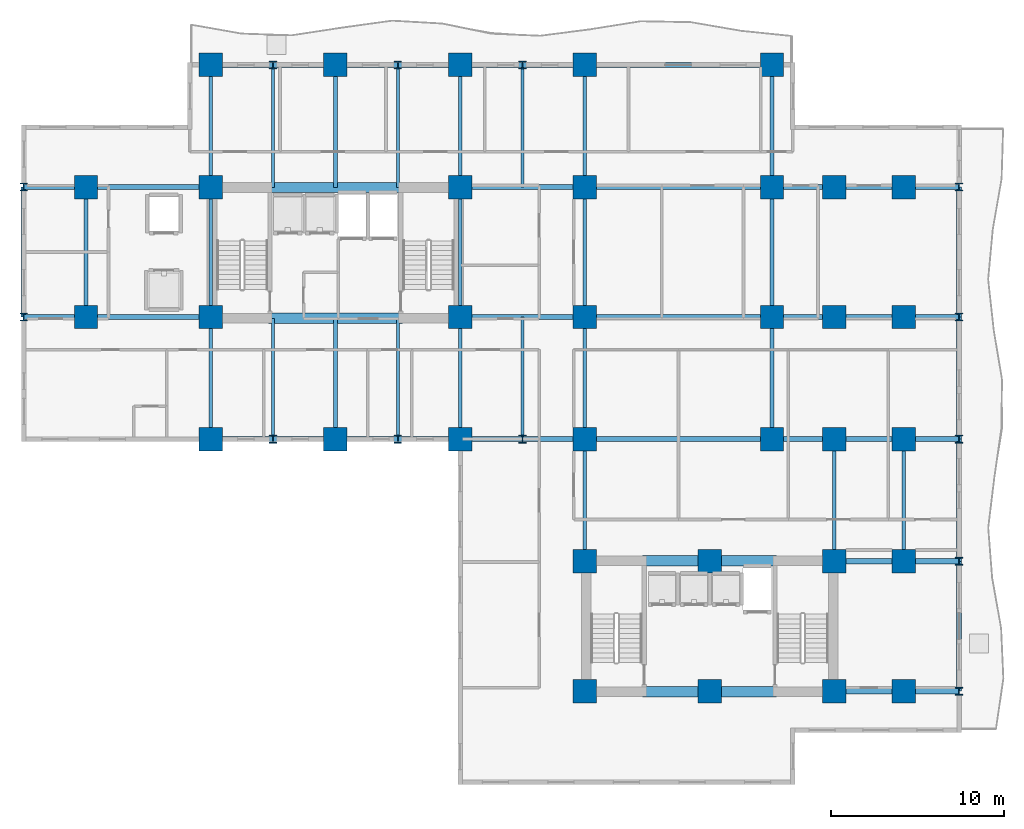
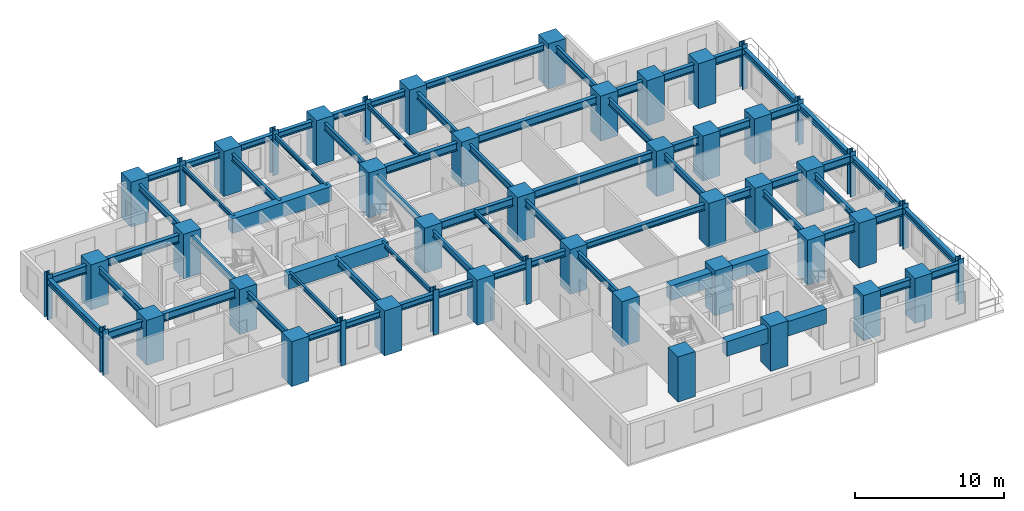
# One storey, part 1 of 12: 68 beams, 47 columns.
"""IFC4 building model written with IfcOpenShell, lengths in metres."""

import ifcopenshell
import ifcopenshell.guid

model = None  # the IFC model being written
_history = None  # IfcOwnerHistory: only IFC2X3 demands one
_inside = {}  # id of a spatial element -> (the spatial element, [elements in it])
_under = {}  # id of a project, library or spatial element -> (it, [spatial elements below it])
_declared = {}  # id of a project -> (the project, [libraries it declares])
_typed = {}  # id of a type object -> (the type object, [elements of that type])
_made_of = {}  # id of a material, layer set ... -> (it, [elements and type objects made of it])


def new_model(schema):
    """Start an empty IFC model of exactly this schema.

    Asked for "IFC4X3", IfcOpenShell would pick the latest addendum, in which some entities
    have other attributes; the version numbers below select the first issue.
    IFC2X3 requires an IfcOwnerHistory on every rooted entity: one is made here for all.
    """
    global model, _history
    if schema == "IFC4X3":
        model = ifcopenshell.file(schema_version=(4, 3, 0, 0))
    else:
        model = ifcopenshell.file(schema=schema)
    _inside.clear()
    _under.clear()
    _declared.clear()
    _typed.clear()
    _made_of.clear()
    _history = None
    if model.schema == "IFC2X3":
        org = make("IfcOrganization", Name="unknown")
        user = make(
            "IfcPersonAndOrganization",
            ThePerson=make("IfcPerson", FamilyName="unknown"),
            TheOrganization=org,
        )
        app = make(
            "IfcApplication",
            ApplicationDeveloper=org,
            Version="unknown",
            ApplicationFullName="unknown",
            ApplicationIdentifier="unknown",
        )
        _history = make(
            "IfcOwnerHistory",
            OwningUser=user,
            OwningApplication=app,
            ChangeAction="ADDED",
            CreationDate=0,
        )
    return model


def make(cls, **values):
    """One entity of the class cls with the attributes given. An attribute that is None is left unset."""
    return model.create_entity(
        cls, **{name: value for name, value in values.items() if value is not None}
    )


def rooted(cls, **values):
    """An entity with a GlobalId (a new one), such as an element, a storey or a relation."""
    return make(cls, GlobalId=ifcopenshell.guid.new(), OwnerHistory=_history, **values)


def si_unit(unit_type, name, prefix=None):
    """IfcSIUnit, for example si_unit("LENGTHUNIT", "METRE", prefix="MILLI")."""
    return make("IfcSIUnit", UnitType=unit_type, Prefix=prefix, Name=name)


def assignment(units):
    """IfcUnitAssignment: the units of a project."""
    return None if units is None else make("IfcUnitAssignment", Units=units)


def point(xyz):
    """IfcCartesianPoint."""
    return None if xyz is None else make("IfcCartesianPoint", Coordinates=xyz)


def direction(xyz):
    """IfcDirection."""
    return None if xyz is None else make("IfcDirection", DirectionRatios=xyz)


def frame(location, z_axis=None, x_axis=None):
    """IfcAxis2Placement3D, a coordinate frame: its origin and axes. An axis left out is left unset."""
    return make(
        "IfcAxis2Placement3D",
        Location=point(location),
        Axis=direction(z_axis),
        RefDirection=direction(x_axis),
    )


def frame_2d(location, x_axis=None):
    """IfcAxis2Placement2D, a coordinate frame in the plane: its origin and x axis."""
    return make(
        "IfcAxis2Placement2D", Location=point(location), RefDirection=direction(x_axis)
    )


def origin():
    """The frame at (0, 0, 0) with its axes left unset."""
    return frame((0.0, 0.0, 0.0))


def origin_2d():
    """The frame at (0, 0) in the plane with its x axis left unset."""
    return frame_2d((0.0, 0.0))


def place(relative_to, where):
    """IfcLocalPlacement: puts the frame where relative to a parent placement (None: the world)."""
    return make(
        "IfcLocalPlacement", PlacementRelTo=relative_to, RelativePlacement=where
    )


def context(
    kind, dimensions, precision=None, world=None, true_north=None, identifier=None
):
    """IfcGeometricRepresentationContext, for example the 3D "Model" context."""
    return make(
        "IfcGeometricRepresentationContext",
        ContextIdentifier=identifier,
        ContextType=kind,
        CoordinateSpaceDimension=dimensions,
        Precision=precision,
        WorldCoordinateSystem=world,
        TrueNorth=true_north,
    )


def subcontext(parent, identifier, kind, view, scale=None):
    """IfcGeometricRepresentationSubContext, for example "Body" below "Model"."""
    return make(
        "IfcGeometricRepresentationSubContext",
        ContextIdentifier=identifier,
        ContextType=kind,
        ParentContext=parent,
        TargetScale=scale,
        TargetView=view,
    )


def project(units=None, contexts=None):
    """IfcProject with its units and contexts."""
    return rooted(
        "IfcProject",
        Name="project",
        RepresentationContexts=contexts,
        UnitsInContext=assignment(units),
    )


def spatial(cls, under=None, at=None, **own):
    """A site, building, storey or space (cls), placed at a placement, below another one or the project."""
    s = rooted(cls, ObjectPlacement=at, **own)
    if under is not None:
        _under.setdefault(under.id(), (under, []))[1].append(s)
    return s


def profile(cls, at=None, kind="AREA", **sizes):
    """A parametric profile (cls). Its sizes go by their IFC names, for example OverallWidth=200.0."""
    return make(cls, ProfileType=kind, Position=at, **sizes)


def rectangle(**sizes):
    """IfcRectangleProfileDef."""
    return profile("IfcRectangleProfileDef", **sizes)


def i_section(**sizes):
    """IfcIShapeProfileDef."""
    return profile("IfcIShapeProfileDef", **sizes)


def extrude(swept, where, along, depth):
    """IfcExtrudedAreaSolid: the profile swept, set in the frame where, extruded along a direction by depth."""
    return make(
        "IfcExtrudedAreaSolid",
        SweptArea=swept,
        Position=where,
        ExtrudedDirection=direction(along),
        Depth=depth,
    )


def shape(context_of_items, identifier, shape_type, items):
    """IfcShapeRepresentation: the items that make up one representation, for example the "Body"."""
    return make(
        "IfcShapeRepresentation",
        ContextOfItems=context_of_items,
        RepresentationIdentifier=identifier,
        RepresentationType=shape_type,
        Items=items,
    )


def source(mapping_origin, context_of_items, identifier, shape_type, items):
    """IfcRepresentationMap: a shape defined once, which mapped items show again and again."""
    return make(
        "IfcRepresentationMap",
        MappingOrigin=mapping_origin,
        MappedRepresentation=shape(context_of_items, identifier, shape_type, items),
    )


def transform(
    local_origin,
    x_axis=None,
    y_axis=None,
    z_axis=None,
    scale=None,
    scale2=None,
    scale3=None,
    uniform=True,
):
    """IfcCartesianTransformationOperator3D, or its non-uniform kind. x_axis, y_axis, z_axis: its Axis1, 2, 3."""
    if uniform:
        return make(
            "IfcCartesianTransformationOperator3D",
            Axis1=direction(x_axis),
            Axis2=direction(y_axis),
            LocalOrigin=point(local_origin),
            Scale=scale,
            Axis3=direction(z_axis),
        )
    return make(
        "IfcCartesianTransformationOperator3DnonUniform",
        Axis1=direction(x_axis),
        Axis2=direction(y_axis),
        LocalOrigin=point(local_origin),
        Scale=scale,
        Axis3=direction(z_axis),
        Scale2=scale2,
        Scale3=scale3,
    )


def mapped(mapping_source, mapping_target):
    """IfcMappedItem: shows the shape of a source again, moved by a transform."""
    return make(
        "IfcMappedItem", MappingSource=mapping_source, MappingTarget=mapping_target
    )


def material(Name=None, Category=None):
    """IfcMaterial."""
    return make("IfcMaterial", Name=Name, Category=Category)


def material_profile(
    of_material, cross_section, Name=None, Category=None, Priority=None
):
    """IfcMaterialProfile: a cross section and its material."""
    return make(
        "IfcMaterialProfile",
        Name=Name,
        Material=of_material,
        Profile=cross_section,
        Priority=Priority,
        Category=Category,
    )


def profile_set(profiles, Name=None, composite=None):
    """IfcMaterialProfileSet."""
    return make(
        "IfcMaterialProfileSet",
        Name=Name,
        MaterialProfiles=profiles,
        CompositeProfile=composite,
    )


def made_of(thing, what):
    """Note that an element or type object is made of a material, layer set ...; save() writes the relation."""
    if what is not None:
        _made_of.setdefault(what.id(), (what, []))[1].append(thing)
    return thing


def type_object(cls, material=None, **own):
    """A type object (cls), such as IfcWallType, which elements share."""
    return made_of(rooted(cls, **own), material)


def element(
    cls,
    number,
    at=None,
    inside=None,
    cuts=None,
    type_object=None,
    material=None,
    context=None,
    identifier="Body",
    shape_type=None,
    held_by="IfcProductDefinitionShape",
    body=None,
    shapes=None,
    **own,
):
    """One element of the class cls, such as IfcWall. Its Tag is "e" and its number.

    at: its placement. inside: the storey or other place that contains it. cuts: it is an
    opening in that element (IfcRelVoidsElement). A single representation is given by context,
    identifier, shape_type and body (its items); several are given by shapes. held_by: the class
    of the entity that holds the representations. save() writes the other relations.
    """
    e = rooted(cls, Tag="e%d" % number, ObjectPlacement=at, **own)
    if body is not None:
        shapes = [shape(context, identifier, shape_type, body)]
    if shapes is not None:
        e.Representation = make(held_by, Representations=shapes)
    if inside is not None:
        _inside.setdefault(inside.id(), (inside, []))[1].append(e)
    if cuts is not None:
        rooted(
            "IfcRelVoidsElement", RelatingBuildingElement=cuts, RelatedOpeningElement=e
        )
    if type_object is not None:
        _typed.setdefault(type_object.id(), (type_object, []))[1].append(e)
    return made_of(e, material)


def aggregate(whole, parts):
    """IfcRelAggregates: a whole, such as a stair, and the parts it consists of."""
    return rooted("IfcRelAggregates", RelatingObject=whole, RelatedObjects=parts)


def save(model, path):
    """Write the relations noted so far, then the file.

    IfcRelAggregates (storeys below a building ...), IfcRelContainedInSpatialStructure (elements
    in a storey), IfcRelDefinesByType, IfcRelAssociatesMaterial and IfcRelDeclares: one each for
    every whole, place, type object, material and project.
    """
    for whole, parts in _under.values():
        aggregate(whole, parts)
    for where, things in _inside.values():
        rooted(
            "IfcRelContainedInSpatialStructure",
            RelatedElements=things,
            RelatingStructure=where,
        )
    for kind, things in _typed.values():
        rooted("IfcRelDefinesByType", RelatedObjects=things, RelatingType=kind)
    for what, things in _made_of.values():
        rooted("IfcRelAssociatesMaterial", RelatedObjects=things, RelatingMaterial=what)
    for by, libraries in _declared.values():
        rooted("IfcRelDeclares", RelatingContext=by, RelatedDefinitions=libraries)
    model.write(path)


model = new_model("IFC4")

# Units and contexts
model_context = context("Model", 3, precision=1e-05, world=origin(), true_north=direction((0.0, 1.0)))
body_context = subcontext(model_context, "Body", "Model", "MODEL_VIEW")
ifc_project = project(units=[si_unit("LENGTHUNIT", "METRE"), si_unit("AREAUNIT", "SQUARE_METRE"), si_unit("VOLUMEUNIT", "CUBIC_METRE"), si_unit("PLANEANGLEUNIT", "RADIAN"), si_unit("MASSUNIT", "GRAM", prefix="KILO")], contexts=[model_context])

# Site, building, storey
site_placement = place(None, origin())
site = spatial("IfcSite", under=ifc_project, at=site_placement, CompositionType="ELEMENT")
building_placement = place(site_placement, origin())
building = spatial("IfcBuilding", under=site, at=building_placement, Name="Kaliganga Portal Commons", CompositionType="ELEMENT")
storey_placement = place(building_placement, frame((0.0, 0.0, 69.699951171875)))
storey = spatial("IfcBuildingStorey", under=building, at=storey_placement, Name="L17", CompositionType="ELEMENT", Elevation=69.699951171875)

# Columns
ifc_material_1 = material(Name="Concrete C70/85", Category="concrete")
ifc_material_profile_1 = material_profile(ifc_material_1, rectangle(XDim=1.35009765625, YDim=1.35009765625, at=origin_2d()), Name="RC 1350x1350")
ifc_profile_set_1 = profile_set([ifc_material_profile_1], Name="Concrete C70/85")
column_type_1 = type_object("IfcColumnType", Name="COL-MEGA-Z1", PredefinedType="COLUMN", material=ifc_profile_set_1)
shared_shape_1 = source(origin(), body_context, "Body", "SweptSolid", [
    extrude(rectangle(XDim=1.35009765625, YDim=1.35009765625, at=origin_2d()), origin(), (0.0, 0.0, 1.0), 3.699951171875),
])
for number, where, z_axis, x_axis, name in (
    (1, (7.199951171875, 28.64990234375, 0.0), (0.0, 0.0, 1.0), (1.0, 0.0, 0.0), "Column MC-02 L17"),
    (2, (7.199951171875, 36.14990234375, 0.0), (0.0, 0.0, 1.0), (1.0, 0.0, 0.0), "Column MC-02 L17"),
    (3, (14.39990234375, 21.60009765625, 0.0), (0.0, 0.0, 1.0), (1.0, 0.0, 0.0), "Column MC-02 L17"),
    (4, (14.39990234375, 28.64990234375, 0.0), (0.0, 0.0, 1.0), (1.0, 0.0, 0.0), "Column MC-02 L17"),
    (5, (14.39990234375, 36.14990234375, 0.0), (0.0, 0.0, 1.0), (1.0, 0.0, 0.0), "Column MC-02 L17"),
    (6, (14.39990234375, 43.199951171875, 0.0), (0.0, 0.0, 1.0), (1.0, 0.0, 0.0), "Column MC-02 L17"),
    (7, (21.60009765625, 21.60009765625, 0.0), (0.0, 0.0, 1.0), (1.0, 0.0, 0.0), "Column MC-02 L17"),
    (8, (21.60009765625, 43.199951171875, 0.0), (0.0, 0.0, 1.0), (1.0, 0.0, 0.0), "Column MC-02 L17"),
    (9, (28.800048828125, 21.60009765625, 0.0), (0.0, 0.0, 1.0), (1.0, 0.0, 0.0), "Column MC-02 L17"),
    (10, (28.800048828125, 28.64990234375, 0.0), (0.0, 0.0, 1.0), (1.0, 0.0, 0.0), "Column MC-02 L17"),
    (11, (28.800048828125, 36.14990234375, 0.0), (0.0, 0.0, 1.0), (1.0, 0.0, 0.0), "Column MC-02 L17"),
    (12, (28.800048828125, 43.199951171875, 0.0), (0.0, 0.0, 1.0), (1.0, 0.0, 0.0), "Column MC-02 L17"),
    (13, (36.0, 21.60009765625, 0.0), (0.0, 0.0, 1.0), (1.0, 0.0, 0.0), "Column MC-02 L17"),
    (14, (36.0, 43.199951171875, 0.0), (0.0, 0.0, 1.0), (1.0, 0.0, 0.0), "Column MC-02 L17"),
    (15, (36.0, 28.64990234375, 0.0), (0.0, 0.0, 1.0), (1.0, 0.0, 0.0), "Column MC-02 L17"),
    (16, (36.0, 36.14990234375, 0.0), (0.0, 0.0, 1.0), (1.0, 0.0, 0.0), "Column MC-02 L17"),
    (17, (46.800048828125, 21.60009765625, 0.0), (0.0, 0.0, 1.0), (1.0, 0.0, 0.0), "Column MC-02 L17"),
    (18, (46.800048828125, 28.64990234375, 0.0), (0.0, 0.0, 1.0), (1.0, 0.0, 0.0), "Column MC-02 L17"),
    (19, (46.800048828125, 36.14990234375, 0.0), (0.0, 0.0, 1.0), (1.0, 0.0, 0.0), "Column MC-02 L17"),
    (20, (46.800048828125, 43.199951171875, 0.0), (0.0, 0.0, 1.0), (1.0, 0.0, 0.0), "Column MC-02 L17"),
    (21, (36.0, 7.050048828125, 0.0), (0.0, 0.0, 1.0), (1.0, 0.0, 0.0), "Column MC-02 L17"),
    (22, (36.0, 14.550048828125, 0.0), (0.0, 0.0, 1.0), (1.0, 0.0, 0.0), "Column MC-02 L17"),
    (23, (43.199951171875, 7.050048828125, 0.0), (0.0, 0.0, 1.0), (1.0, 0.0, 0.0), "Column MC-02 L17"),
    (24, (43.199951171875, 14.550048828125, 0.0), (0.0, 0.0, 1.0), (1.0, 0.0, 0.0), "Column MC-02 L17"),
    (25, (50.39990234375, 7.050048828125, 0.0), (0.0, 0.0, 1.0), (1.0, 0.0, 0.0), "Column MC-02 L17"),
    (26, (50.39990234375, 14.550048828125, 0.0), (0.0, 0.0, 1.0), (1.0, 0.0, 0.0), "Column MC-02 L17"),
    (27, (50.39990234375, 21.60009765625, 0.0), (0.0, 0.0, 1.0), (1.0, 0.0, 0.0), "Column MC-02 L17"),
    (28, (50.39990234375, 28.64990234375, 0.0), (0.0, 0.0, 1.0), (1.0, 0.0, 0.0), "Column MC-02 L17"),
    (29, (50.39990234375, 36.14990234375, 0.0), (0.0, 0.0, 1.0), (1.0, 0.0, 0.0), "Column MC-02 L17"),
    (30, (54.39990234375, 7.050048828125, 0.0), (0.0, 0.0, 1.0), (1.0, 0.0, 0.0), "Column MC-02 L17"),
    (31, (54.39990234375, 14.550048828125, 0.0), (0.0, 0.0, 1.0), (1.0, 0.0, 0.0), "Column MC-02 L17"),
    (32, (54.39990234375, 21.60009765625, 0.0), (0.0, 0.0, 1.0), (1.0, 0.0, 0.0), "Column MC-02 L17"),
    (33, (54.39990234375, 28.64990234375, 0.0), (0.0, 0.0, 1.0), (1.0, 0.0, 0.0), "Column MC-02 L17"),
    (34, (54.39990234375, 36.14990234375, 0.0), (0.0, 0.0, 1.0), (1.0, 0.0, 0.0), "Column MC-02 L17"),
):
    element("IfcColumn", number, at=place(storey_placement, frame(where, z_axis=z_axis, x_axis=x_axis)), inside=storey, type_object=column_type_1, Name=name, PredefinedType="COLUMN", context=body_context, shape_type="MappedRepresentation", body=[
        mapped(shared_shape_1, transform((0.0, 0.0, 0.0), x_axis=(1.0, 0.0, 0.0), y_axis=(0.0, 1.0, 0.0), z_axis=(0.0, 0.0, 1.0), scale=1.0)),
    ])
ifc_material_2 = material(Name="Structural steel S460M", Category="steel")
ifc_material_profile_2 = material_profile(ifc_material_2, i_section(OverallWidth=0.416015625, OverallDepth=0.446044921875, WebThickness=0.029052734375, FlangeThickness=0.0400390625, FilletRadius=0.014892578125, at=origin_2d()), Name="HD 400x509")
ifc_profile_set_2 = profile_set([ifc_material_profile_2], Name="Structural steel S460M wide-flange")
column_type_2 = type_object("IfcColumnType", Name="COL-TUBE-B1", PredefinedType="COLUMN", material=ifc_profile_set_2)
shared_shape_2 = source(origin(), body_context, "Body", "SweptSolid", [
    extrude(i_section(OverallWidth=0.416015625, OverallDepth=0.446044921875, WebThickness=0.029052734375, FlangeThickness=0.0400390625, FilletRadius=0.014892578125, at=origin_2d()), origin(), (0.0, 0.0, 1.0), 3.699951171875),
])
for number, where, z_axis, x_axis, name in (
    (35, (3.60009765625, 28.64990234375, 0.0), (0.0, 0.0, 1.0), (1.0, 0.0, 0.0), "Column TC-01 L17"),
    (36, (3.60009765625, 36.14990234375, 0.0), (0.0, 0.0, 1.0), (1.0, 0.0, 0.0), "Column TC-01 L17"),
    (37, (18.0, 21.60009765625, 0.0), (0.0, 0.0, 1.0), (1.0, 0.0, 0.0), "Column TC-01 L17"),
    (38, (18.0, 43.199951171875, 0.0), (0.0, 0.0, 1.0), (1.0, 0.0, 0.0), "Column TC-01 L17"),
    (39, (25.199951171875, 21.60009765625, 0.0), (0.0, 0.0, 1.0), (1.0, 0.0, 0.0), "Column TC-01 L17"),
    (40, (25.199951171875, 43.199951171875, 0.0), (0.0, 0.0, 1.0), (1.0, 0.0, 0.0), "Column TC-01 L17"),
    (41, (32.39990234375, 21.60009765625, 0.0), (0.0, 0.0, 1.0), (1.0, 0.0, 0.0), "Column TC-01 L17"),
    (42, (32.39990234375, 43.199951171875, 0.0), (0.0, 0.0, 1.0), (1.0, 0.0, 0.0), "Column TC-01 L17"),
    (43, (57.60009765625, 7.050048828125, 0.0), (0.0, 0.0, 1.0), (1.0, 0.0, 0.0), "Column TC-01 L17"),
    (44, (57.60009765625, 14.550048828125, 0.0), (0.0, 0.0, 1.0), (1.0, 0.0, 0.0), "Column TC-01 L17"),
    (45, (57.60009765625, 21.60009765625, 0.0), (0.0, 0.0, 1.0), (1.0, 0.0, 0.0), "Column TC-01 L17"),
    (46, (57.60009765625, 28.64990234375, 0.0), (0.0, 0.0, 1.0), (1.0, 0.0, 0.0), "Column TC-01 L17"),
    (47, (57.60009765625, 36.14990234375, 0.0), (0.0, 0.0, 1.0), (1.0, 0.0, 0.0), "Column TC-01 L17"),
):
    element("IfcColumn", number, at=place(storey_placement, frame(where, z_axis=z_axis, x_axis=x_axis)), inside=storey, type_object=column_type_2, Name=name, PredefinedType="COLUMN", context=body_context, shape_type="MappedRepresentation", body=[
        mapped(shared_shape_2, transform((0.0, 0.0, 0.0), x_axis=(1.0, 0.0, 0.0), y_axis=(0.0, 1.0, 0.0), z_axis=(0.0, 0.0, 1.0), scale=1.0)),
    ])

# Beams
ifc_material_3 = material(Name="Concrete C60/75", Category="concrete")
ifc_material_profile_3 = material_profile(ifc_material_3, rectangle(XDim=0.60009765625, YDim=1.199951171875, at=origin_2d()), Name="RC 600x1200")
ifc_profile_set_3 = profile_set([ifc_material_profile_3], Name="Concrete C60/75")
beam_type_1 = type_object("IfcBeamType", Name="BM-CPL-1200", PredefinedType="LINTEL", material=ifc_profile_set_3)
shared_shape_3 = source(origin(), body_context, "Body", "SweptSolid", [
    extrude(rectangle(XDim=0.60009765625, YDim=1.199951171875, at=origin_2d()), origin(), (0.0, 0.0, 1.0), 7.739990234375),
])
for number, where, z_axis, x_axis, name in (
    (48, (17.72998046875, 28.574951171875, 2.739990234375), (1.0, 0.0, 0.0), (0.0, 1.0, 0.0), "BM CPL COREA L17 S"),
    (49, (17.72998046875, 36.125, 2.739990234375), (1.0, 0.0, 0.0), (0.0, 1.0, 0.0), "BM CPL COREA L17 N"),
    (50, (39.330078125, 7.02490234375, 2.739990234375), (1.0, 0.0, 0.0), (0.0, 1.0, 0.0), "BM CPL COREB L17 S"),
    (51, (39.330078125, 14.574951171875, 2.739990234375), (1.0, 0.0, 0.0), (0.0, 1.0, 0.0), "BM CPL COREB L17 N"),
):
    element("IfcBeam", number, at=place(storey_placement, frame(where, z_axis=z_axis, x_axis=x_axis)), inside=storey, type_object=beam_type_1, Name=name, PredefinedType="LINTEL", context=body_context, shape_type="MappedRepresentation", body=[
        mapped(shared_shape_3, transform((0.0, 0.0, 0.0), x_axis=(1.0, 0.0, 0.0), y_axis=(0.0, 1.0, 0.0), z_axis=(0.0, 0.0, 1.0), scale=1.0)),
    ])
ifc_material_4 = material(Name="Structural steel S355J2", Category="steel")
ifc_material_profile_4 = material_profile(ifc_material_4, i_section(OverallWidth=0.300048828125, OverallDepth=0.5, WebThickness=0.014404296875, FlangeThickness=0.028076171875, FilletRadius=0.027099609375, at=origin_2d()), Name="HE 500 B")
ifc_profile_set_4 = profile_set([ifc_material_profile_4], Name="Structural steel S355J2 wide-flange")
beam_type_2 = type_object("IfcBeamType", Name="BM-SPAND-500", PredefinedType="SPANDREL", material=ifc_profile_set_4)
shared_shape_4 = source(origin(), body_context, "Body", "SweptSolid", [
    extrude(i_section(OverallWidth=0.300048828125, OverallDepth=0.5, WebThickness=0.014404296875, FlangeThickness=0.028076171875, FilletRadius=0.027099609375, at=origin_2d()), origin(), (0.0, 0.0, 1.0), 10.800048828125),
])
for number, where, z_axis, x_axis, name in (
    (52, (36.0, 43.199951171875, 3.090087890625), (1.0, 0.0, 0.0), (0.0, 1.0, 0.0), "BM SP L17 AN 7"),
    (53, (36.0, 21.60009765625, 3.090087890625), (1.0, 0.0, 0.0), (0.0, 1.0, 0.0), "BM SP L17 AS 7"),
):
    element("IfcBeam", number, at=place(storey_placement, frame(where, z_axis=z_axis, x_axis=x_axis)), inside=storey, type_object=beam_type_2, Name=name, PredefinedType="SPANDREL", context=body_context, shape_type="MappedRepresentation", body=[
        mapped(shared_shape_4, transform((0.0, 0.0, 0.0), x_axis=(1.0, 0.0, 0.0), y_axis=(0.0, 1.0, 0.0), z_axis=(0.0, 0.0, 1.0), scale=1.0)),
    ])
shared_shape_5 = source(origin(), body_context, "Body", "SweptSolid", [
    extrude(i_section(OverallWidth=0.300048828125, OverallDepth=0.5, WebThickness=0.014404296875, FlangeThickness=0.028076171875, FilletRadius=0.027099609375, at=origin_2d()), origin(), (0.0, 0.0, 1.0), 7.5),
])
for number, where, z_axis, x_axis, name in (
    (54, (3.60009765625, 28.64990234375, 3.090087890625), (0.0, 1.0, 0.0), (-1.0, 0.0, 0.0), "BM SP L17 AW"),
    (55, (57.60009765625, 7.050048828125, 3.090087890625), (0.0, 1.0, 0.0), (-1.0, 0.0, 0.0), "BM SP L17 BE 1"),
    (56, (57.60009765625, 28.64990234375, 3.090087890625), (0.0, 1.0, 0.0), (-1.0, 0.0, 0.0), "BM SP L17 BE 4"),
):
    element("IfcBeam", number, at=place(storey_placement, frame(where, z_axis=z_axis, x_axis=x_axis)), inside=storey, type_object=beam_type_2, Name=name, PredefinedType="SPANDREL", context=body_context, shape_type="MappedRepresentation", body=[
        mapped(shared_shape_5, transform((0.0, 0.0, 0.0), x_axis=(1.0, 0.0, 0.0), y_axis=(0.0, 1.0, 0.0), z_axis=(0.0, 0.0, 1.0), scale=1.0)),
    ])
shared_shape_6 = source(origin(), body_context, "Body", "SweptSolid", [
    extrude(i_section(OverallWidth=0.300048828125, OverallDepth=0.5, WebThickness=0.014404296875, FlangeThickness=0.028076171875, FilletRadius=0.027099609375, at=origin_2d()), origin(), (0.0, 0.0, 1.0), 7.050048828125),
])
beam_1_placement = place(storey_placement, frame((57.60009765625, 14.550048828125, 3.090087890625), z_axis=(0.0, 1.0, 0.0), x_axis=(-1.0, 0.0, 0.0)))
element("IfcBeam", 57, at=beam_1_placement, inside=storey, type_object=beam_type_2, Name="BM SP L17 BE 2", PredefinedType="SPANDREL", context=body_context, shape_type="MappedRepresentation", body=[
    mapped(shared_shape_6, transform((0.0, 0.0, 0.0), x_axis=(1.0, 0.0, 0.0), y_axis=(0.0, 1.0, 0.0), z_axis=(0.0, 0.0, 1.0), scale=1.0)),
])
shared_shape_7 = source(origin(), body_context, "Body", "SweptSolid", [
    extrude(i_section(OverallWidth=0.300048828125, OverallDepth=0.5, WebThickness=0.014404296875, FlangeThickness=0.028076171875, FilletRadius=0.027099609375, at=origin_2d()), origin(), (0.0, 0.0, 1.0), 7.0498046875),
])
beam_2_placement = place(storey_placement, frame((57.60009765625, 21.60009765625, 3.090087890625), z_axis=(0.0, 1.0, 0.0), x_axis=(-1.0, 0.0, 0.0)))
element("IfcBeam", 58, at=beam_2_placement, inside=storey, type_object=beam_type_2, Name="BM SP L17 BE 3", PredefinedType="SPANDREL", context=body_context, shape_type="MappedRepresentation", body=[
    mapped(shared_shape_7, transform((0.0, 0.0, 0.0), x_axis=(1.0, 0.0, 0.0), y_axis=(0.0, 1.0, 0.0), z_axis=(0.0, 0.0, 1.0), scale=1.0)),
])
shared_shape_8 = source(origin(), body_context, "Body", "SweptSolid", [
    extrude(i_section(OverallWidth=0.300048828125, OverallDepth=0.5, WebThickness=0.014404296875, FlangeThickness=0.028076171875, FilletRadius=0.027099609375, at=origin_2d()), origin(), (0.0, 0.0, 1.0), 3.60009765625),
])
for number, where, z_axis, x_axis, name in (
    (59, (14.39990234375, 43.199951171875, 3.090087890625), (1.0, 0.0, 0.0), (0.0, 1.0, 0.0), "BM SP L17 AN 1"),
    (60, (18.0, 43.199951171875, 3.090087890625), (1.0, 0.0, 0.0), (0.0, 1.0, 0.0), "BM SP L17 AN 2"),
    (61, (25.199951171875, 43.199951171875, 3.090087890625), (1.0, 0.0, 0.0), (0.0, 1.0, 0.0), "BM SP L17 AN 4"),
    (62, (32.39990234375, 43.199951171875, 3.090087890625), (1.0, 0.0, 0.0), (0.0, 1.0, 0.0), "BM SP L17 AN 6"),
    (63, (14.39990234375, 21.60009765625, 3.090087890625), (1.0, 0.0, 0.0), (0.0, 1.0, 0.0), "BM SP L17 AS 1"),
    (64, (18.0, 21.60009765625, 3.090087890625), (1.0, 0.0, 0.0), (0.0, 1.0, 0.0), "BM SP L17 AS 2"),
    (65, (25.199951171875, 21.60009765625, 3.090087890625), (1.0, 0.0, 0.0), (0.0, 1.0, 0.0), "BM SP L17 AS 4"),
    (66, (32.39990234375, 21.60009765625, 3.090087890625), (1.0, 0.0, 0.0), (0.0, 1.0, 0.0), "BM SP L17 AS 6"),
):
    element("IfcBeam", number, at=place(storey_placement, frame(where, z_axis=z_axis, x_axis=x_axis)), inside=storey, type_object=beam_type_2, Name=name, PredefinedType="SPANDREL", context=body_context, shape_type="MappedRepresentation", body=[
        mapped(shared_shape_8, transform((0.0, 0.0, 0.0), x_axis=(1.0, 0.0, 0.0), y_axis=(0.0, 1.0, 0.0), z_axis=(0.0, 0.0, 1.0), scale=1.0)),
    ])
shared_shape_9 = source(origin(), body_context, "Body", "SweptSolid", [
    extrude(i_section(OverallWidth=0.300048828125, OverallDepth=0.5, WebThickness=0.014404296875, FlangeThickness=0.028076171875, FilletRadius=0.027099609375, at=origin_2d()), origin(), (0.0, 0.0, 1.0), 3.599853515625),
])
for number, where, z_axis, x_axis, name in (
    (67, (21.60009765625, 43.199951171875, 3.090087890625), (1.0, 0.0, 0.0), (0.0, 1.0, 0.0), "BM SP L17 AN 3"),
    (68, (28.800048828125, 43.199951171875, 3.090087890625), (1.0, 0.0, 0.0), (0.0, 1.0, 0.0), "BM SP L17 AN 5"),
    (69, (21.60009765625, 21.60009765625, 3.090087890625), (1.0, 0.0, 0.0), (0.0, 1.0, 0.0), "BM SP L17 AS 3"),
    (70, (28.800048828125, 21.60009765625, 3.090087890625), (1.0, 0.0, 0.0), (0.0, 1.0, 0.0), "BM SP L17 AS 5"),
):
    element("IfcBeam", number, at=place(storey_placement, frame(where, z_axis=z_axis, x_axis=x_axis)), inside=storey, type_object=beam_type_2, Name=name, PredefinedType="SPANDREL", context=body_context, shape_type="MappedRepresentation", body=[
        mapped(shared_shape_9, transform((0.0, 0.0, 0.0), x_axis=(1.0, 0.0, 0.0), y_axis=(0.0, 1.0, 0.0), z_axis=(0.0, 0.0, 1.0), scale=1.0)),
    ])
ifc_material_profile_5 = material_profile(ifc_material_4, i_section(OverallWidth=0.300048828125, OverallDepth=0.64990234375, WebThickness=0.01611328125, FlangeThickness=0.031005859375, FilletRadius=0.027099609375, at=origin_2d()), Name="HE 650 B")
ifc_profile_set_5 = profile_set([ifc_material_profile_5], Name="Structural steel S355J2 wide-flange")
beam_type_3 = type_object("IfcBeamType", Name="BM-GIRD-650", PredefinedType="USERDEFINED", material=ifc_profile_set_5)
shared_shape_10 = source(origin(), body_context, "Body", "SweptSolid", [
    extrude(i_section(OverallWidth=0.300048828125, OverallDepth=0.64990234375, WebThickness=0.01611328125, FlangeThickness=0.031005859375, FilletRadius=0.027099609375, at=origin_2d()), origin(), (0.0, 0.0, 1.0), 3.599853515625),
])
for number, where, z_axis, x_axis, name in (
    (71, (3.60009765625, 28.64990234375, 3.01513671875), (1.0, 0.0, 0.0), (0.0, 1.0, 0.0), "BM G L17 WAH_S 1"),
    (72, (3.60009765625, 36.14990234375, 3.01513671875), (1.0, 0.0, 0.0), (0.0, 1.0, 0.0), "BM G L17 WAH_N 1"),
    (73, (46.800048828125, 21.60009765625, 3.01513671875), (1.0, 0.0, 0.0), (0.0, 1.0, 0.0), "BM G L17 BKE216 1"),
    (74, (46.800048828125, 28.64990234375, 3.01513671875), (1.0, 0.0, 0.0), (0.0, 1.0, 0.0), "BM G L17 BKE286 1"),
    (75, (46.800048828125, 36.14990234375, 3.01513671875), (1.0, 0.0, 0.0), (0.0, 1.0, 0.0), "BM G L17 BKE362 1"),
):
    element("IfcBeam", number, at=place(storey_placement, frame(where, z_axis=z_axis, x_axis=x_axis)), inside=storey, type_object=beam_type_3, Name=name, ObjectType="GIRDER", PredefinedType="USERDEFINED", context=body_context, shape_type="MappedRepresentation", body=[
        mapped(shared_shape_10, transform((0.0, 0.0, 0.0), x_axis=(1.0, 0.0, 0.0), y_axis=(0.0, 1.0, 0.0), z_axis=(0.0, 0.0, 1.0), scale=1.0)),
    ])
shared_shape_11 = source(origin(), body_context, "Body", "SweptSolid", [
    extrude(i_section(OverallWidth=0.300048828125, OverallDepth=0.64990234375, WebThickness=0.01611328125, FlangeThickness=0.031005859375, FilletRadius=0.027099609375, at=origin_2d()), origin(), (0.0, 0.0, 1.0), 7.199951171875),
])
for number, where, z_axis, x_axis, name in (
    (76, (7.199951171875, 28.64990234375, 3.01513671875), (1.0, 0.0, 0.0), (0.0, 1.0, 0.0), "BM G L17 WAH_S 2"),
    (77, (7.199951171875, 36.14990234375, 3.01513671875), (1.0, 0.0, 0.0), (0.0, 1.0, 0.0), "BM G L17 WAH_N 2"),
    (78, (28.800048828125, 28.64990234375, 3.01513671875), (1.0, 0.0, 0.0), (0.0, 1.0, 0.0), "BM G L17 WAE_S 1"),
    (79, (28.800048828125, 36.14990234375, 3.01513671875), (1.0, 0.0, 0.0), (0.0, 1.0, 0.0), "BM G L17 WAE_N 1"),
):
    element("IfcBeam", number, at=place(storey_placement, frame(where, z_axis=z_axis, x_axis=x_axis)), inside=storey, type_object=beam_type_3, Name=name, ObjectType="GIRDER", PredefinedType="USERDEFINED", context=body_context, shape_type="MappedRepresentation", body=[
        mapped(shared_shape_11, transform((0.0, 0.0, 0.0), x_axis=(1.0, 0.0, 0.0), y_axis=(0.0, 1.0, 0.0), z_axis=(0.0, 0.0, 1.0), scale=1.0)),
    ])
shared_shape_12 = source(origin(), body_context, "Body", "SweptSolid", [
    extrude(i_section(OverallWidth=0.300048828125, OverallDepth=0.64990234375, WebThickness=0.01611328125, FlangeThickness=0.031005859375, FilletRadius=0.027099609375, at=origin_2d()), origin(), (0.0, 0.0, 1.0), 10.800048828125),
])
for number, where, z_axis, x_axis, name in (
    (80, (36.0, 28.64990234375, 3.01513671875), (1.0, 0.0, 0.0), (0.0, 1.0, 0.0), "BM G L17 WAE_S 2"),
    (81, (36.0, 36.14990234375, 3.01513671875), (1.0, 0.0, 0.0), (0.0, 1.0, 0.0), "BM G L17 WAE_N 2"),
):
    element("IfcBeam", number, at=place(storey_placement, frame(where, z_axis=z_axis, x_axis=x_axis)), inside=storey, type_object=beam_type_3, Name=name, ObjectType="GIRDER", PredefinedType="USERDEFINED", context=body_context, shape_type="MappedRepresentation", body=[
        mapped(shared_shape_12, transform((0.0, 0.0, 0.0), x_axis=(1.0, 0.0, 0.0), y_axis=(0.0, 1.0, 0.0), z_axis=(0.0, 0.0, 1.0), scale=1.0)),
    ])
ifc_material_profile_6 = material_profile(ifc_material_4, i_section(OverallWidth=0.2099609375, OverallDepth=0.550048828125, WebThickness=0.010986328125, FlangeThickness=0.01708984375, FilletRadius=0.02392578125, at=origin_2d()), Name="IPE 550")
ifc_profile_set_6 = profile_set([ifc_material_profile_6], Name="Structural steel S355J2 wide-flange")
beam_type_4 = type_object("IfcBeamType", Name="BM-FLR-550", PredefinedType="BEAM", material=ifc_profile_set_6)
shared_shape_13 = source(origin(), body_context, "Body", "SweptSolid", [
    extrude(i_section(OverallWidth=0.2099609375, OverallDepth=0.550048828125, WebThickness=0.010986328125, FlangeThickness=0.01708984375, FilletRadius=0.02392578125, at=origin_2d()), origin(), (0.0, 0.0, 1.0), 7.5),
])
for number, where, z_axis, x_axis, name in (
    (82, (7.199951171875, 28.64990234375, 3.06494140625), (0.0, 1.0, 0.0), (-1.0, 0.0, 0.0), "BM G L17 AW72"),
    (83, (14.39990234375, 28.64990234375, 3.06494140625), (0.0, 1.0, 0.0), (-1.0, 0.0, 0.0), "BM G L17 AM144"),
    (84, (28.800048828125, 28.64990234375, 3.06494140625), (0.0, 1.0, 0.0), (-1.0, 0.0, 0.0), "BM G L17 AM288"),
    (85, (36.0, 28.64990234375, 3.06494140625), (0.0, 1.0, 0.0), (-1.0, 0.0, 0.0), "BM G L17 AM360"),
    (86, (46.800048828125, 28.64990234375, 3.06494140625), (0.0, 1.0, 0.0), (-1.0, 0.0, 0.0), "BM G L17 AM468"),
):
    element("IfcBeam", number, at=place(storey_placement, frame(where, z_axis=z_axis, x_axis=x_axis)), inside=storey, type_object=beam_type_4, Name=name, PredefinedType="BEAM", context=body_context, shape_type="MappedRepresentation", body=[
        mapped(shared_shape_13, transform((0.0, 0.0, 0.0), x_axis=(1.0, 0.0, 0.0), y_axis=(0.0, 1.0, 0.0), z_axis=(0.0, 0.0, 1.0), scale=1.0)),
    ])
shared_shape_14 = source(origin(), body_context, "Body", "SweptSolid", [
    extrude(i_section(OverallWidth=0.2099609375, OverallDepth=0.550048828125, WebThickness=0.010986328125, FlangeThickness=0.01708984375, FilletRadius=0.02392578125, at=origin_2d()), origin(), (0.0, 0.0, 1.0), 7.050048828125),
])
for number, where, z_axis, x_axis, name in (
    (87, (14.39990234375, 36.14990234375, 3.06494140625), (0.0, 1.0, 0.0), (-1.0, 0.0, 0.0), "BM G L17 AN144"),
    (88, (28.800048828125, 36.14990234375, 3.06494140625), (0.0, 1.0, 0.0), (-1.0, 0.0, 0.0), "BM G L17 AN288"),
    (89, (36.0, 36.14990234375, 3.06494140625), (0.0, 1.0, 0.0), (-1.0, 0.0, 0.0), "BM G L17 AN360"),
    (90, (46.800048828125, 36.14990234375, 3.06494140625), (0.0, 1.0, 0.0), (-1.0, 0.0, 0.0), "BM G L17 AN468"),
    (91, (36.0, 14.550048828125, 3.06494140625), (0.0, 1.0, 0.0), (-1.0, 0.0, 0.0), "BM G L17 BNK360"),
    (92, (50.39990234375, 14.550048828125, 3.06494140625), (0.0, 1.0, 0.0), (-1.0, 0.0, 0.0), "BM G L17 BNK504"),
    (93, (54.39990234375, 14.550048828125, 3.06494140625), (0.0, 1.0, 0.0), (-1.0, 0.0, 0.0), "BM G L17 BNK544"),
):
    element("IfcBeam", number, at=place(storey_placement, frame(where, z_axis=z_axis, x_axis=x_axis)), inside=storey, type_object=beam_type_4, Name=name, PredefinedType="BEAM", context=body_context, shape_type="MappedRepresentation", body=[
        mapped(shared_shape_14, transform((0.0, 0.0, 0.0), x_axis=(1.0, 0.0, 0.0), y_axis=(0.0, 1.0, 0.0), z_axis=(0.0, 0.0, 1.0), scale=1.0)),
    ])
shared_shape_15 = source(origin(), body_context, "Body", "SweptSolid", [
    extrude(i_section(OverallWidth=0.2099609375, OverallDepth=0.550048828125, WebThickness=0.010986328125, FlangeThickness=0.01708984375, FilletRadius=0.02392578125, at=origin_2d()), origin(), (0.0, 0.0, 1.0), 7.0498046875),
])
for number, where, z_axis, x_axis, name in (
    (94, (14.39990234375, 21.60009765625, 3.06494140625), (0.0, 1.0, 0.0), (-1.0, 0.0, 0.0), "BM G L17 AS144"),
    (95, (28.800048828125, 21.60009765625, 3.06494140625), (0.0, 1.0, 0.0), (-1.0, 0.0, 0.0), "BM G L17 AS288"),
    (96, (36.0, 21.60009765625, 3.06494140625), (0.0, 1.0, 0.0), (-1.0, 0.0, 0.0), "BM G L17 AS360"),
    (97, (46.800048828125, 21.60009765625, 3.06494140625), (0.0, 1.0, 0.0), (-1.0, 0.0, 0.0), "BM G L17 AS468"),
):
    element("IfcBeam", number, at=place(storey_placement, frame(where, z_axis=z_axis, x_axis=x_axis)), inside=storey, type_object=beam_type_4, Name=name, PredefinedType="BEAM", context=body_context, shape_type="MappedRepresentation", body=[
        mapped(shared_shape_15, transform((0.0, 0.0, 0.0), x_axis=(1.0, 0.0, 0.0), y_axis=(0.0, 1.0, 0.0), z_axis=(0.0, 0.0, 1.0), scale=1.0)),
    ])
ifc_material_profile_7 = material_profile(ifc_material_4, i_section(OverallWidth=0.169921875, OverallDepth=0.360107421875, WebThickness=0.008056640625, FlangeThickness=0.0126953125, FilletRadius=0.01806640625, at=origin_2d()), Name="IPE 360")
ifc_profile_set_7 = profile_set([ifc_material_profile_7], Name="Structural steel S355J2 wide-flange")
beam_type_5 = type_object("IfcBeamType", Name="BM-JST-360", PredefinedType="JOIST", material=ifc_profile_set_7)
shared_shape_16 = source(origin(), body_context, "Body", "SweptSolid", [
    extrude(i_section(OverallWidth=0.169921875, OverallDepth=0.360107421875, WebThickness=0.008056640625, FlangeThickness=0.0126953125, FilletRadius=0.01806640625, at=origin_2d()), origin(), (0.0, 0.0, 1.0), 7.074951171875),
])
for number, where, z_axis, x_axis, name in (
    (98, (18.0, 36.125, 3.16015625), (0.0, 1.0, 0.0), (-1.0, 0.0, 0.0), "BM G L17 AN180"),
    (99, (25.199951171875, 36.125, 3.16015625), (0.0, 1.0, 0.0), (-1.0, 0.0, 0.0), "BM G L17 AN252"),
):
    element("IfcBeam", number, at=place(storey_placement, frame(where, z_axis=z_axis, x_axis=x_axis)), inside=storey, type_object=beam_type_5, Name=name, PredefinedType="JOIST", context=body_context, shape_type="MappedRepresentation", body=[
        mapped(shared_shape_16, transform((0.0, 0.0, 0.0), x_axis=(1.0, 0.0, 0.0), y_axis=(0.0, 1.0, 0.0), z_axis=(0.0, 0.0, 1.0), scale=1.0)),
    ])
shared_shape_17 = source(origin(), body_context, "Body", "SweptSolid", [
    extrude(i_section(OverallWidth=0.169921875, OverallDepth=0.360107421875, WebThickness=0.008056640625, FlangeThickness=0.0126953125, FilletRadius=0.01806640625, at=origin_2d()), origin(), (0.0, 0.0, 1.0), 6.974853515625),
])
for number, where, z_axis, x_axis, name in (
    (100, (18.0, 21.60009765625, 3.16015625), (0.0, 1.0, 0.0), (-1.0, 0.0, 0.0), "BM G L17 AS180"),
    (101, (25.199951171875, 21.60009765625, 3.16015625), (0.0, 1.0, 0.0), (-1.0, 0.0, 0.0), "BM G L17 AS252"),
):
    element("IfcBeam", number, at=place(storey_placement, frame(where, z_axis=z_axis, x_axis=x_axis)), inside=storey, type_object=beam_type_5, Name=name, PredefinedType="JOIST", context=body_context, shape_type="MappedRepresentation", body=[
        mapped(shared_shape_17, transform((0.0, 0.0, 0.0), x_axis=(1.0, 0.0, 0.0), y_axis=(0.0, 1.0, 0.0), z_axis=(0.0, 0.0, 1.0), scale=1.0)),
    ])
shared_shape_18 = source(origin(), body_context, "Body", "SweptSolid", [
    extrude(i_section(OverallWidth=0.2099609375, OverallDepth=0.550048828125, WebThickness=0.010986328125, FlangeThickness=0.01708984375, FilletRadius=0.02392578125, at=origin_2d()), origin(), (0.0, 0.0, 1.0), 7.074951171875),
])
beam_3_placement = place(storey_placement, frame((21.60009765625, 36.125, 3.06494140625), z_axis=(0.0, 1.0, 0.0), x_axis=(-1.0, 0.0, 0.0)))
element("IfcBeam", 102, at=beam_3_placement, inside=storey, type_object=beam_type_4, Name="BM G L17 AN216", PredefinedType="BEAM", context=body_context, shape_type="MappedRepresentation", body=[
    mapped(shared_shape_18, transform((0.0, 0.0, 0.0), x_axis=(1.0, 0.0, 0.0), y_axis=(0.0, 1.0, 0.0), z_axis=(0.0, 0.0, 1.0), scale=1.0)),
])
shared_shape_19 = source(origin(), body_context, "Body", "SweptSolid", [
    extrude(i_section(OverallWidth=0.2099609375, OverallDepth=0.550048828125, WebThickness=0.010986328125, FlangeThickness=0.01708984375, FilletRadius=0.02392578125, at=origin_2d()), origin(), (0.0, 0.0, 1.0), 6.974853515625),
])
beam_4_placement = place(storey_placement, frame((21.60009765625, 21.60009765625, 3.06494140625), z_axis=(0.0, 1.0, 0.0), x_axis=(-1.0, 0.0, 0.0)))
element("IfcBeam", 103, at=beam_4_placement, inside=storey, type_object=beam_type_4, Name="BM G L17 AS216", PredefinedType="BEAM", context=body_context, shape_type="MappedRepresentation", body=[
    mapped(shared_shape_19, transform((0.0, 0.0, 0.0), x_axis=(1.0, 0.0, 0.0), y_axis=(0.0, 1.0, 0.0), z_axis=(0.0, 0.0, 1.0), scale=1.0)),
])
shared_shape_20 = source(origin(), body_context, "Body", "SweptSolid", [
    extrude(i_section(OverallWidth=0.169921875, OverallDepth=0.360107421875, WebThickness=0.008056640625, FlangeThickness=0.0126953125, FilletRadius=0.01806640625, at=origin_2d()), origin(), (0.0, 0.0, 1.0), 7.050048828125),
])
beam_5_placement = place(storey_placement, frame((32.39990234375, 36.14990234375, 3.16015625), z_axis=(0.0, 1.0, 0.0), x_axis=(-1.0, 0.0, 0.0)))
element("IfcBeam", 104, at=beam_5_placement, inside=storey, type_object=beam_type_5, Name="BM G L17 AN324", PredefinedType="JOIST", context=body_context, shape_type="MappedRepresentation", body=[
    mapped(shared_shape_20, transform((0.0, 0.0, 0.0), x_axis=(1.0, 0.0, 0.0), y_axis=(0.0, 1.0, 0.0), z_axis=(0.0, 0.0, 1.0), scale=1.0)),
])
shared_shape_21 = source(origin(), body_context, "Body", "SweptSolid", [
    extrude(i_section(OverallWidth=0.169921875, OverallDepth=0.360107421875, WebThickness=0.008056640625, FlangeThickness=0.0126953125, FilletRadius=0.01806640625, at=origin_2d()), origin(), (0.0, 0.0, 1.0), 7.0498046875),
])
beam_6_placement = place(storey_placement, frame((32.39990234375, 21.60009765625, 3.16015625), z_axis=(0.0, 1.0, 0.0), x_axis=(-1.0, 0.0, 0.0)))
element("IfcBeam", 105, at=beam_6_placement, inside=storey, type_object=beam_type_5, Name="BM G L17 AS324", PredefinedType="JOIST", context=body_context, shape_type="MappedRepresentation", body=[
    mapped(shared_shape_21, transform((0.0, 0.0, 0.0), x_axis=(1.0, 0.0, 0.0), y_axis=(0.0, 1.0, 0.0), z_axis=(0.0, 0.0, 1.0), scale=1.0)),
])
shared_shape_22 = source(origin(), body_context, "Body", "SweptSolid", [
    extrude(i_section(OverallWidth=0.300048828125, OverallDepth=0.64990234375, WebThickness=0.01611328125, FlangeThickness=0.031005859375, FilletRadius=0.027099609375, at=origin_2d()), origin(), (0.0, 0.0, 1.0), 4.0),
])
for number, where, z_axis, x_axis, name in (
    (106, (50.39990234375, 7.050048828125, 3.01513671875), (1.0, 0.0, 0.0), (0.0, 1.0, 0.0), "BM G L17 BKE70 1"),
    (107, (50.39990234375, 14.550048828125, 3.01513671875), (1.0, 0.0, 0.0), (0.0, 1.0, 0.0), "BM G L17 BKE146 1"),
    (108, (50.39990234375, 21.60009765625, 3.01513671875), (1.0, 0.0, 0.0), (0.0, 1.0, 0.0), "BM G L17 BKE216 2"),
    (109, (50.39990234375, 28.64990234375, 3.01513671875), (1.0, 0.0, 0.0), (0.0, 1.0, 0.0), "BM G L17 BKE286 2"),
    (110, (50.39990234375, 36.14990234375, 3.01513671875), (1.0, 0.0, 0.0), (0.0, 1.0, 0.0), "BM G L17 BKE362 2"),
):
    element("IfcBeam", number, at=place(storey_placement, frame(where, z_axis=z_axis, x_axis=x_axis)), inside=storey, type_object=beam_type_3, Name=name, ObjectType="GIRDER", PredefinedType="USERDEFINED", context=body_context, shape_type="MappedRepresentation", body=[
        mapped(shared_shape_22, transform((0.0, 0.0, 0.0), x_axis=(1.0, 0.0, 0.0), y_axis=(0.0, 1.0, 0.0), z_axis=(0.0, 0.0, 1.0), scale=1.0)),
    ])
shared_shape_23 = source(origin(), body_context, "Body", "SweptSolid", [
    extrude(i_section(OverallWidth=0.300048828125, OverallDepth=0.64990234375, WebThickness=0.01611328125, FlangeThickness=0.031005859375, FilletRadius=0.027099609375, at=origin_2d()), origin(), (0.0, 0.0, 1.0), 3.2001953125),
])
for number, where, z_axis, x_axis, name in (
    (111, (54.39990234375, 7.050048828125, 3.01513671875), (1.0, 0.0, 0.0), (0.0, 1.0, 0.0), "BM G L17 BKE70 2"),
    (112, (54.39990234375, 14.550048828125, 3.01513671875), (1.0, 0.0, 0.0), (0.0, 1.0, 0.0), "BM G L17 BKE146 2"),
    (113, (54.39990234375, 21.60009765625, 3.01513671875), (1.0, 0.0, 0.0), (0.0, 1.0, 0.0), "BM G L17 BKE216 3"),
    (114, (54.39990234375, 28.64990234375, 3.01513671875), (1.0, 0.0, 0.0), (0.0, 1.0, 0.0), "BM G L17 BKE286 3"),
    (115, (54.39990234375, 36.14990234375, 3.01513671875), (1.0, 0.0, 0.0), (0.0, 1.0, 0.0), "BM G L17 BKE362 3"),
):
    element("IfcBeam", number, at=place(storey_placement, frame(where, z_axis=z_axis, x_axis=x_axis)), inside=storey, type_object=beam_type_3, Name=name, ObjectType="GIRDER", PredefinedType="USERDEFINED", context=body_context, shape_type="MappedRepresentation", body=[
        mapped(shared_shape_23, transform((0.0, 0.0, 0.0), x_axis=(1.0, 0.0, 0.0), y_axis=(0.0, 1.0, 0.0), z_axis=(0.0, 0.0, 1.0), scale=1.0)),
    ])

save(model, "model.ifc")
